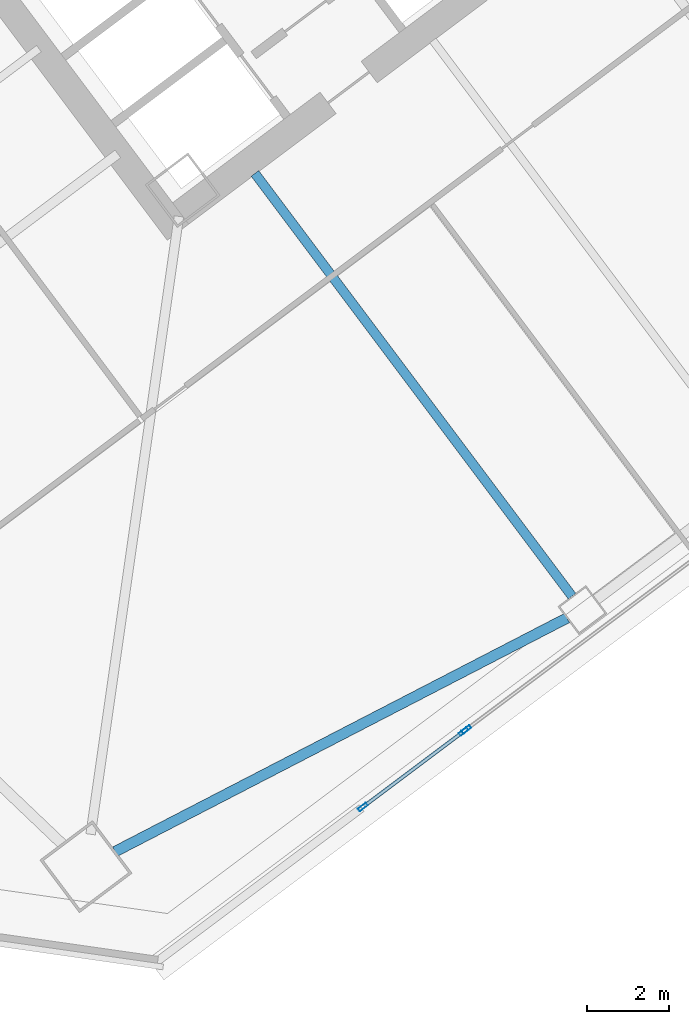
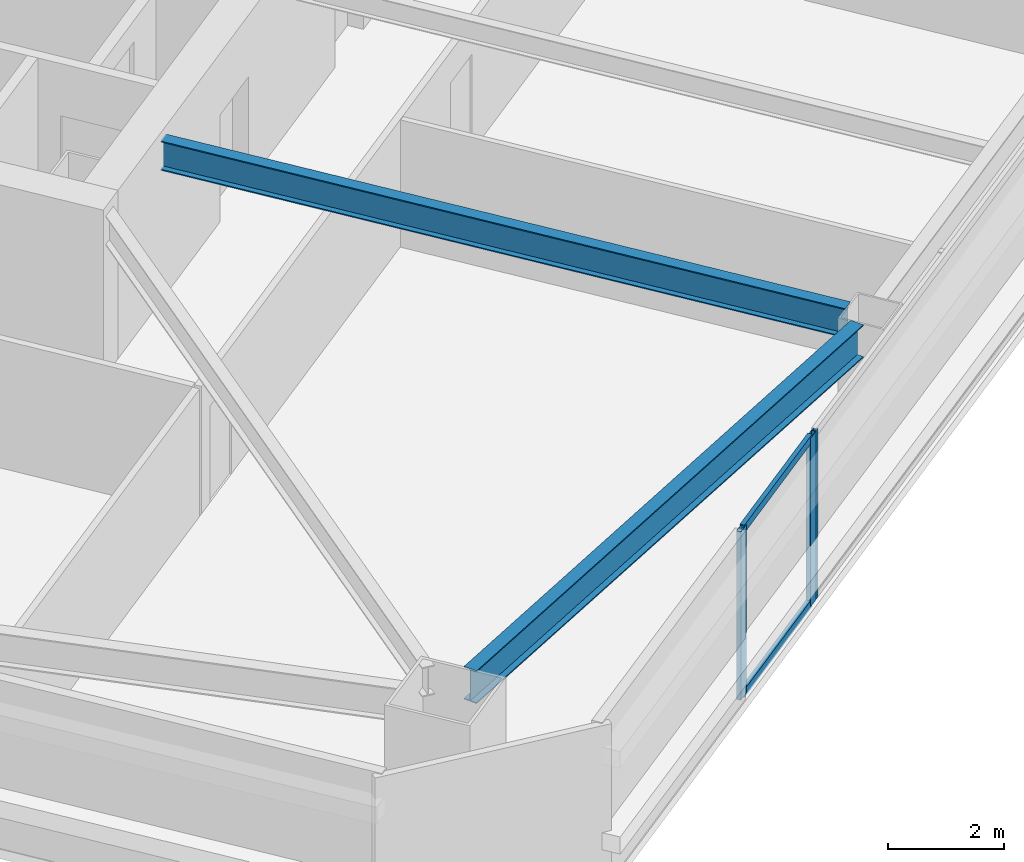
# One storey, part 23 of 48: 5 members, 2 beams, 2 elements without a shape of their own.
"""IFC4 building model written with IfcOpenShell, lengths in metres."""

from ifc_helpers import new_model, si_unit, direction, frame, origin, origin_2d, place, context, subcontext, project, spatial, hollow_rectangle, i_section, extrude, material, material_profile, profile_set, type_object, element, aggregate, save


model = new_model("IFC4")

# Units and contexts
model_context = context("Model", 3, precision=1e-05, world=origin(), true_north=direction((0.0, 1.0)))
body_context = subcontext(model_context, "Body", "Model", "MODEL_VIEW")
ifc_project = project(units=[si_unit("LENGTHUNIT", "METRE"), si_unit("AREAUNIT", "SQUARE_METRE"), si_unit("VOLUMEUNIT", "CUBIC_METRE"), si_unit("PLANEANGLEUNIT", "RADIAN"), si_unit("MASSUNIT", "GRAM", prefix="KILO")], contexts=[model_context])

# Site, building, storey
site_placement = place(None, origin())
site = spatial("IfcSite", under=ifc_project, at=site_placement, CompositionType="ELEMENT")
building_placement = place(site_placement, origin())
building = spatial("IfcBuilding", under=site, at=building_placement, Name="Tashvorn Skyway Center", CompositionType="ELEMENT")
storey_placement = place(building_placement, frame((0.0, 0.0, 56.550048828125)))
storey = spatial("IfcBuildingStorey", under=building, at=storey_placement, Name="L14", CompositionType="ELEMENT", Elevation=56.550048828125)

# Beams
ifc_material_1 = material(Name="Steel ASTM A992 Grade 50", Category="steel")
ifc_material_profile_1 = material_profile(ifc_material_1, i_section(OverallWidth=0.22998046875, OverallDepth=0.616943359375, WebThickness=0.01318359375, FlangeThickness=0.022216796875, at=origin_2d()), Name="W24X94")
ifc_profile_set_1 = profile_set([ifc_material_profile_1], Name="Steel ASTM A992 Grade 50")
beam_type_1 = type_object("IfcBeamType", Name="BM-BEAM-W24X94", PredefinedType="BEAM", material=ifc_profile_set_1)
beam_1_placement = place(storey_placement, frame((122.05810546875, 12.256103515625, 3.04150390625), z_axis=(-0.600018239213, 0.799986320265, 0.0), x_axis=(-0.799986320265, -0.600018239213, 0.0)))
element("IfcBeam", 1, at=beam_1_placement, inside=storey, type_object=beam_type_1, Name="Tower 2 L14 Primary Floor Girder FC-S1", PredefinedType="BEAM", context=body_context, shape_type="SweptSolid", body=[
    extrude(i_section(OverallWidth=0.22998046875, OverallDepth=0.616943359375, WebThickness=0.01318359375, FlangeThickness=0.022216796875, at=origin_2d()), origin(), (0.0, 0.0, 1.0), 12.849853515625),
])
ifc_material_profile_2 = material_profile(ifc_material_1, i_section(OverallWidth=0.256103515625, OverallDepth=0.693115234375, WebThickness=0.014404296875, FlangeThickness=0.023681640625, at=origin_2d()), Name="W27X114")
ifc_profile_set_2 = profile_set([ifc_material_profile_2], Name="Steel ASTM A992 Grade 50")
beam_type_2 = type_object("IfcBeamType", Name="BM-SPANDREL-W27X114", PredefinedType="SPANDREL", material=ifc_profile_set_2)
beam_2_placement = place(storey_placement, frame((110.9462890625, 6.045166015625, 3.00341796875), z_axis=(0.888315637339, 0.459233413919, 0.0), x_axis=(-0.459233413919, 0.888315637339, 0.0)))
element("IfcBeam", 2, at=beam_2_placement, inside=storey, type_object=beam_type_2, Name="Tower 2 L14 Spandrel Beam 01", PredefinedType="SPANDREL", context=body_context, shape_type="SweptSolid", body=[
    extrude(i_section(OverallWidth=0.256103515625, OverallDepth=0.693115234375, WebThickness=0.014404296875, FlangeThickness=0.023681640625, at=origin_2d()), origin(), (0.0, 0.0, 1.0), 12.37255859375),
])

# Curtain wall, member
ifc_material_2 = material(Name="Thermally broken bronze-anodized aluminium 6063-T6", Category="aluminium")
curtain_wall_type = type_object("IfcCurtainWallType", Name="CW-CW-Z1", PredefinedType="NOTDEFINED", material=ifc_material_2)
curtain_wall_1_placement = place(storey_placement, origin())
curtain_wall_1 = element("IfcCurtainWall", 3, at=curtain_wall_1_placement, inside=storey, type_object=curtain_wall_type, Name="Tower 2 L14 South Unitised Curtain Wall Glazing Group 2", PredefinedType="NOTDEFINED")
ifc_material_profile_3 = material_profile(ifc_material_2, hollow_rectangle(XDim=0.0849609375, YDim=0.239990234375, WallThickness=0.0048828125, at=origin_2d()), Name="ALU-MULL-85x240")
ifc_profile_set_3 = profile_set([ifc_material_profile_3], Name="Thermally broken bronze-anodized aluminium 6063-T6")
member_type_1 = type_object("IfcMemberType", Name="CWM-CW-Z1", PredefinedType="MULLION", material=ifc_profile_set_3)
member_1_placement = place(storey_placement, frame((119.489990234375, 9.017578125, 0.0), z_axis=(0.0, 0.0, 1.0), x_axis=(0.600000000002, -0.799999999998, 0.0)))
member_1 = element("IfcMember", 4, at=member_1_placement, type_object=member_type_1, Name="CW-Z1 mullion 3", PredefinedType="MULLION", context=body_context, shape_type="SweptSolid", body=[
    extrude(hollow_rectangle(XDim=0.0849609375, YDim=0.239990234375, WallThickness=0.0048828125, at=origin_2d()), origin(), (0.0, 0.0, 1.0), 3.550048828125),
])
aggregate(curtain_wall_1, [member_1])

# Curtain wall, members
curtain_wall_2_placement = place(storey_placement, origin())
curtain_wall_2 = element("IfcCurtainWall", 5, at=curtain_wall_2_placement, inside=storey, type_object=curtain_wall_type, Name="Tower 2 L14 South Unitised Curtain Wall Glazing Group 3", PredefinedType="NOTDEFINED")
member_2_placement = place(storey_placement, frame((119.422119140625, 8.966552734375, 0.0), z_axis=(0.0, 0.0, 1.0), x_axis=(0.600005084776, -0.799996186392, 0.0)))
member_2 = element("IfcMember", 6, at=member_2_placement, type_object=member_type_1, Name="CW-Z1 mullion 1", PredefinedType="MULLION", context=body_context, shape_type="SweptSolid", body=[
    extrude(hollow_rectangle(XDim=0.0849609375, YDim=0.239990234375, WallThickness=0.0048828125, at=origin_2d()), origin(), (0.0, 0.0, 1.0), 3.550048828125),
])
member_3_placement = place(storey_placement, frame((116.97265625, 7.12939453125, 0.0), z_axis=(0.0, 0.0, 1.0), x_axis=(0.600005084776, -0.799996186392, 0.0)))
member_3 = element("IfcMember", 7, at=member_3_placement, type_object=member_type_1, Name="CW-Z1 mullion 2", PredefinedType="MULLION", context=body_context, shape_type="SweptSolid", body=[
    extrude(hollow_rectangle(XDim=0.0849609375, YDim=0.239990234375, WallThickness=0.0048828125, at=origin_2d()), origin(), (0.0, 0.0, 1.0), 3.550048828125),
])
ifc_material_profile_4 = material_profile(ifc_material_2, hollow_rectangle(XDim=0.0849609375, YDim=0.1650390625, WallThickness=0.0048828125, at=origin_2d()), Name="ALU-TRAN-85x165")
ifc_profile_set_4 = profile_set([ifc_material_profile_4], Name="Thermally broken bronze-anodized aluminium 6063-T6")
member_type_2 = type_object("IfcMemberType", Name="CWT-CW-Z1", PredefinedType="USERDEFINED", material=ifc_profile_set_4)
member_4_placement = place(storey_placement, frame((119.387939453125, 8.94091796875, 0.04248046875), z_axis=(-0.800019684286, -0.599973753388, 0.0), x_axis=(0.599973753388, -0.800019684286, 0.0)))
member_4 = element("IfcMember", 8, at=member_4_placement, type_object=member_type_2, Name="CW-Z1 transom 1.1", ObjectType="TRANSOM", PredefinedType="USERDEFINED", context=body_context, shape_type="SweptSolid", body=[
    extrude(hollow_rectangle(XDim=0.0849609375, YDim=0.1650390625, WallThickness=0.0048828125, at=origin_2d()), origin(), (0.0, 0.0, 1.0), 2.9765625),
])
member_5_placement = place(storey_placement, frame((119.387939453125, 8.94091796875, 3.507568359375), z_axis=(-0.800019684286, -0.599973753388, 0.0), x_axis=(0.599973753388, -0.800019684286, 0.0)))
member_5 = element("IfcMember", 9, at=member_5_placement, type_object=member_type_2, Name="CW-Z1 transom 1.2", ObjectType="TRANSOM", PredefinedType="USERDEFINED", context=body_context, shape_type="SweptSolid", body=[
    extrude(hollow_rectangle(XDim=0.0849609375, YDim=0.1650390625, WallThickness=0.0048828125, at=origin_2d()), origin(), (0.0, 0.0, 1.0), 2.9765625),
])
aggregate(curtain_wall_2, [member_2, member_3, member_4, member_5])

save(model, "model.ifc")
